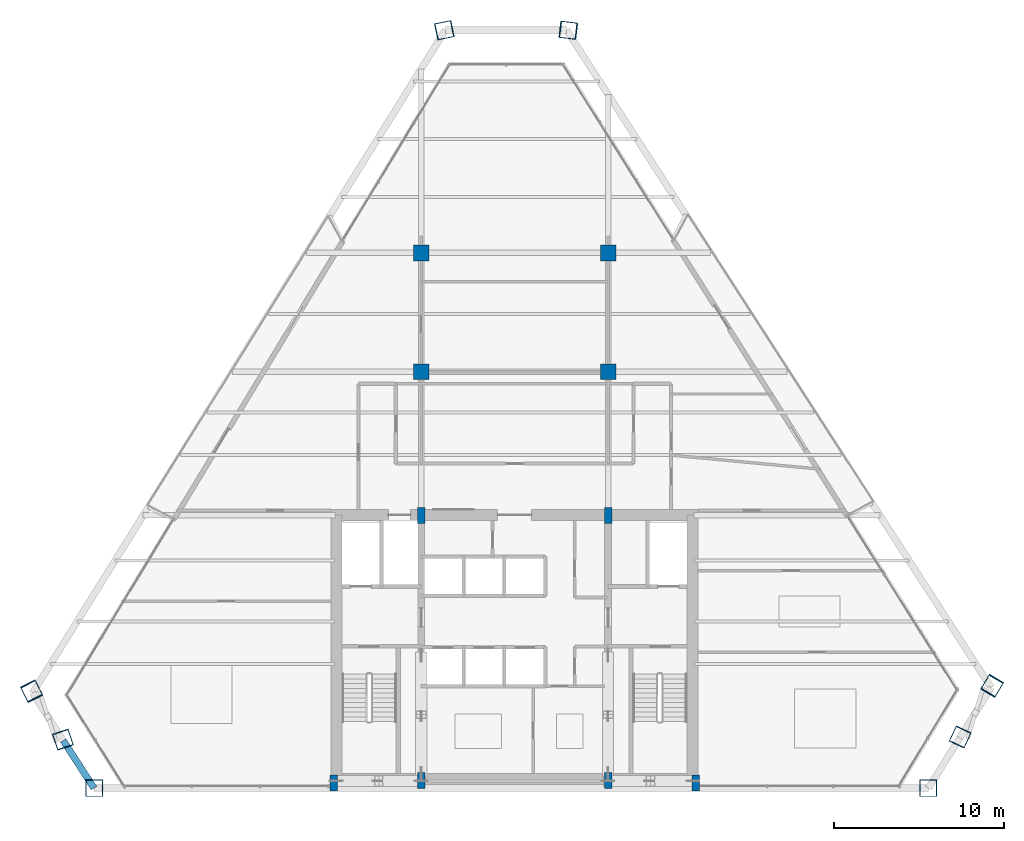
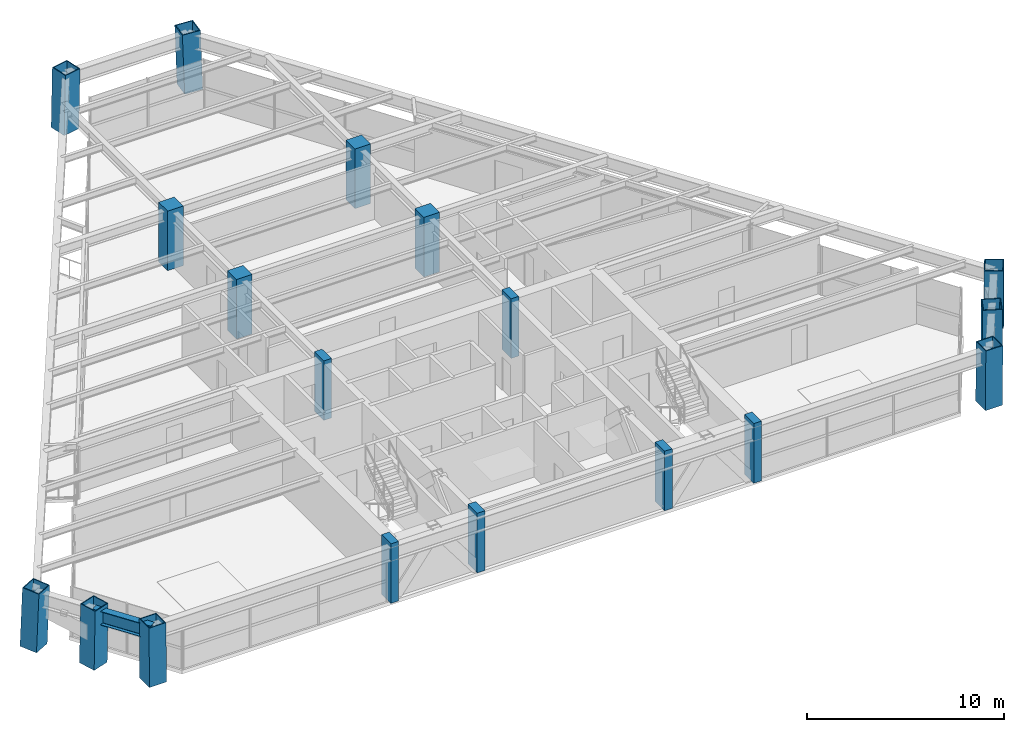
# One storey, part 1 of 12: 18 columns, 1 beam.
"""IFC4 building model written with IfcOpenShell, lengths in metres."""

from ifc_helpers import new_model, si_unit, direction, frame, origin, origin_2d, place, context, subcontext, project, spatial, rectangle, hollow_rectangle, i_section, extrude, source, transform, mapped, material, material_profile, profile_set, type_object, element, save


model = new_model("IFC4")

# Units and contexts
model_context = context("Model", 3, precision=1e-05, world=origin(), true_north=direction((0.0, 1.0)))
body_context = subcontext(model_context, "Body", "Model", "MODEL_VIEW")
ifc_project = project(units=[si_unit("LENGTHUNIT", "METRE"), si_unit("AREAUNIT", "SQUARE_METRE"), si_unit("VOLUMEUNIT", "CUBIC_METRE"), si_unit("PLANEANGLEUNIT", "RADIAN"), si_unit("MASSUNIT", "GRAM", prefix="KILO")], contexts=[model_context])

# Site, building, storey
site_placement = place(None, origin())
site = spatial("IfcSite", under=ifc_project, at=site_placement, CompositionType="ELEMENT")
building_placement = place(site_placement, origin())
building = spatial("IfcBuilding", under=site, at=building_placement, Name="Varnakhor Terracotta Tower", CompositionType="ELEMENT")
storey_placement = place(building_placement, frame((0.0, 0.0, 208.0)))
storey = spatial("IfcBuildingStorey", under=building, at=storey_placement, Name="L53", CompositionType="ELEMENT", Elevation=208.0)

# Columns
ifc_material_1 = material(Name="Concrete C50/60", Category="concrete")
ifc_material_profile_1 = material_profile(ifc_material_1, rectangle(XDim=0.449951171875, YDim=0.949951171875, at=origin_2d()), Name="RC PILASTER 950x450")
ifc_profile_set_1 = profile_set([ifc_material_profile_1], Name="Concrete C50/60")
column_type_1 = type_object("IfcColumnType", Name="COL-PIL-950x450", PredefinedType="PILASTER", material=ifc_profile_set_1)
shared_shape_1 = source(origin(), body_context, "Body", "SweptSolid", [
    extrude(rectangle(XDim=0.449951171875, YDim=0.949951171875, at=origin_2d()), origin(), (0.0, 0.0, 1.0), 3.699951171875),
])
for number, where, z_axis, x_axis, name in (
    (1, (-10.64990234375, 0.300048828125, 0.0), (0.0, 0.0, 1.0), (1.0, 0.0, 0.0), "L53 Core Pilaster CP1"),
    (2, (-5.5, 0.449951171875, 0.0), (0.0, 0.0, 1.0), (1.0, 0.0, 0.0), "L53 Core Pilaster CP2"),
    (3, (5.5, 0.449951171875, 0.0), (0.0, 0.0, 1.0), (1.0, 0.0, 0.0), "L53 Core Pilaster CP3"),
    (4, (10.64990234375, 0.300048828125, 0.0), (0.0, 0.0, 1.0), (1.0, 0.0, 0.0), "L53 Core Pilaster CP4"),
    (5, (-5.5, 16.050048828125, 0.0), (0.0, 0.0, 1.0), (1.0, 0.0, 0.0), "L53 Core Pilaster CP5"),
    (6, (5.5, 16.050048828125, 0.0), (0.0, 0.0, 1.0), (1.0, 0.0, 0.0), "L53 Core Pilaster CP6"),
):
    element("IfcColumn", number, at=place(storey_placement, frame(where, z_axis=z_axis, x_axis=x_axis)), inside=storey, type_object=column_type_1, Name=name, PredefinedType="PILASTER", context=body_context, shape_type="MappedRepresentation", body=[
        mapped(shared_shape_1, transform((0.0, 0.0, 0.0), scale=1.0)),
    ])
ifc_material_profile_2 = material_profile(ifc_material_1, rectangle(XDim=0.919921875, YDim=0.919921875, at=origin_2d()), Name="RC 920x920")
ifc_profile_set_2 = profile_set([ifc_material_profile_2], Name="Concrete C50/60")
column_type_2 = type_object("IfcColumnType", Name="COL-RC-920", PredefinedType="COLUMN", material=ifc_profile_set_2)
shared_shape_2 = source(origin(), body_context, "Body", "SweptSolid", [
    extrude(rectangle(XDim=0.919921875, YDim=0.919921875, at=origin_2d()), origin(), (0.0, 0.0, 1.0), 3.699951171875),
])
for number, where, z_axis, x_axis, name in (
    (7, (-5.5, 24.5, 0.0), (0.0, 0.0, 1.0), (1.0, 0.0, 0.0), "L53 Interior Tower Column IC1"),
    (8, (5.5, 24.5, 0.0), (0.0, 0.0, 1.0), (1.0, 0.0, 0.0), "L53 Interior Tower Column IC2"),
    (9, (-5.5, 31.5, 0.0), (0.0, 0.0, 1.0), (1.0, 0.0, 0.0), "L53 Interior Tower Column IC3"),
    (10, (5.5, 31.5, 0.0), (0.0, 0.0, 1.0), (1.0, 0.0, 0.0), "L53 Interior Tower Column IC4"),
):
    element("IfcColumn", number, at=place(storey_placement, frame(where, z_axis=z_axis, x_axis=x_axis)), inside=storey, type_object=column_type_2, Name=name, PredefinedType="COLUMN", context=body_context, shape_type="MappedRepresentation", body=[
        mapped(shared_shape_2, transform((0.0, 0.0, 0.0), scale=1.0)),
    ])
ifc_material_2 = material(Name="Steel S460", Category="steel")
ifc_material_profile_3 = material_profile(ifc_material_2, hollow_rectangle(XDim=1.0, YDim=1.0, WallThickness=0.050048828125, at=origin_2d()), Name="BOX 1000x1000x50")
ifc_profile_set_3 = profile_set([ifc_material_profile_3], Name="Steel S460")
column_type_3 = type_object("IfcColumnType", Name="COL-MEGA-1000", PredefinedType="COLUMN", material=ifc_profile_set_3)
shared_shape_3 = source(origin(), body_context, "Body", "SweptSolid", [
    extrude(hollow_rectangle(XDim=1.0, YDim=1.0, WallThickness=0.050048828125, at=origin_2d()), origin(), (0.0, 0.0, 1.0), 3.691162109375),
])
for number, where, z_axis, x_axis, name in (
    (11, (-24.739013671875, 0.0, 0.00439453125), (-0.006481774014, 0.0, 0.999978993082), (0.0, -1.0, 0.0), "L53 Perimeter Mega-Column M1"),
    (12, (24.34130859375, 0.0, 0.00439453125), (0.004365326486, 0.0, 0.999990471917), (0.0, 1.0, 0.0), "L53 Perimeter Mega-Column M2"),
):
    element("IfcColumn", number, at=place(storey_placement, frame(where, z_axis=z_axis, x_axis=x_axis)), inside=storey, type_object=column_type_3, Name=name, PredefinedType="COLUMN", context=body_context, shape_type="MappedRepresentation", body=[
        mapped(shared_shape_3, transform((0.0, 0.0, 0.0), scale=1.0)),
    ])
shared_shape_4 = source(origin(), body_context, "Body", "SweptSolid", [
    extrude(hollow_rectangle(XDim=1.0, YDim=1.0, WallThickness=0.050048828125, at=origin_2d()), origin(), (0.0, 0.0, 1.0), 3.693359375),
])
column_placement = place(storey_placement, frame((3.176513671875, 44.607421875, 0.00439453125), z_axis=(-0.034241137016, 0.00416446261, 0.999404923836), x_axis=(-0.120731976648, -0.992685141329, 0.0)))
element("IfcColumn", 13, at=column_placement, inside=storey, type_object=column_type_3, Name="L53 Perimeter Mega-Column M5", PredefinedType="COLUMN", context=body_context, shape_type="MappedRepresentation", body=[
    mapped(shared_shape_4, transform((0.0, 0.0, 0.0), scale=1.0)),
])
shared_shape_5 = source(origin(), body_context, "Body", "SweptSolid", [
    extrude(hollow_rectangle(XDim=1.0, YDim=1.0, WallThickness=0.050048828125, at=origin_2d()), origin(), (0.0, 0.0, 1.0), 3.69189453125),
])
for number, where, z_axis, x_axis, name in (
    (14, (26.22900390625, 3.02099609375, 0.00439453125), (-0.00800175362, -0.017061590362, 0.99982242127), (0.905374629778, -0.424613682958, 0.0), "L53 Perimeter Mega-Column M3"),
    (15, (-4.152099609375, 44.607421875, 0.00439453125), (0.020301214723, 0.004166047321, 0.999785229302), (-0.201022655755, 0.97958659233, 0.0), "L53 Perimeter Mega-Column M6"),
    (16, (-26.591552734375, 2.864501953125, 0.00439453125), (0.005951713196, -0.017921269733, 0.999821686703), (0.949032912976, 0.315176982169, 0.0), "L53 Perimeter Mega-Column M8"),
):
    element("IfcColumn", number, at=place(storey_placement, frame(where, z_axis=z_axis, x_axis=x_axis)), inside=storey, type_object=column_type_3, Name=name, PredefinedType="COLUMN", context=body_context, shape_type="MappedRepresentation", body=[
        mapped(shared_shape_5, transform((0.0, 0.0, 0.0), scale=1.0)),
    ])
shared_shape_6 = source(origin(), body_context, "Body", "SweptSolid", [
    extrude(hollow_rectangle(XDim=1.0, YDim=1.0, WallThickness=0.050048828125, at=origin_2d()), origin(), (0.0, 0.0, 1.0), 3.694091796875),
])
for number, where, z_axis, x_axis, name in (
    (17, (28.116455078125, 6.0419921875, 0.00439453125), (-0.020355690839, -0.034036301241, 0.999213278559), (0.858227253465, -0.513269891393, 0.0), "L53 Perimeter Mega-Column M4"),
    (18, (-28.444091796875, 5.729248046875, 0.00439453125), (0.018306444448, -0.035885918178, 0.999188207981), (0.890788974789, 0.454417211817, 0.0), "L53 Perimeter Mega-Column M7"),
):
    element("IfcColumn", number, at=place(storey_placement, frame(where, z_axis=z_axis, x_axis=x_axis)), inside=storey, type_object=column_type_3, Name=name, PredefinedType="COLUMN", context=body_context, shape_type="MappedRepresentation", body=[
        mapped(shared_shape_6, transform((0.0, 0.0, 0.0), scale=1.0)),
    ])

# Beam
ifc_material_3 = material(Name="Steel S355", Category="steel")
ifc_material_profile_4 = material_profile(ifc_material_3, i_section(OverallWidth=0.39990234375, OverallDepth=0.85498046875, WebThickness=0.01806640625, FlangeThickness=0.029052734375, FilletRadius=0.01806640625, at=origin_2d()), Name="W33X201")
ifc_profile_set_4 = profile_set([ifc_material_profile_4], Name="Steel S355")
beam_type = type_object("IfcBeamType", Name="BM-W33X201", PredefinedType="BEAM", material=ifc_profile_set_4)
shared_shape_7 = source(origin(), body_context, "Body", "SweptSolid", [
    extrude(i_section(OverallWidth=0.39990234375, OverallDepth=0.85498046875, WebThickness=0.01806640625, FlangeThickness=0.029052734375, FilletRadius=0.01806640625, at=origin_2d()), origin(), (0.0, 0.0, 1.0), 3.330810546875),
])
beam_placement = place(storey_placement, frame((-26.569580078125, 2.79833984375, 3.04248046875), z_axis=(0.542393962598, -0.840124270175, 0.0), x_axis=(0.840124270175, 0.542393962598, 0.0)))
element("IfcBeam", 19, at=beam_placement, inside=storey, type_object=beam_type, Name="L53 Perimeter Spandrel 8", PredefinedType="BEAM", context=body_context, shape_type="MappedRepresentation", body=[
    mapped(shared_shape_7, transform((0.0, 0.0, 0.0), scale=1.0)),
])

save(model, "model.ifc")
